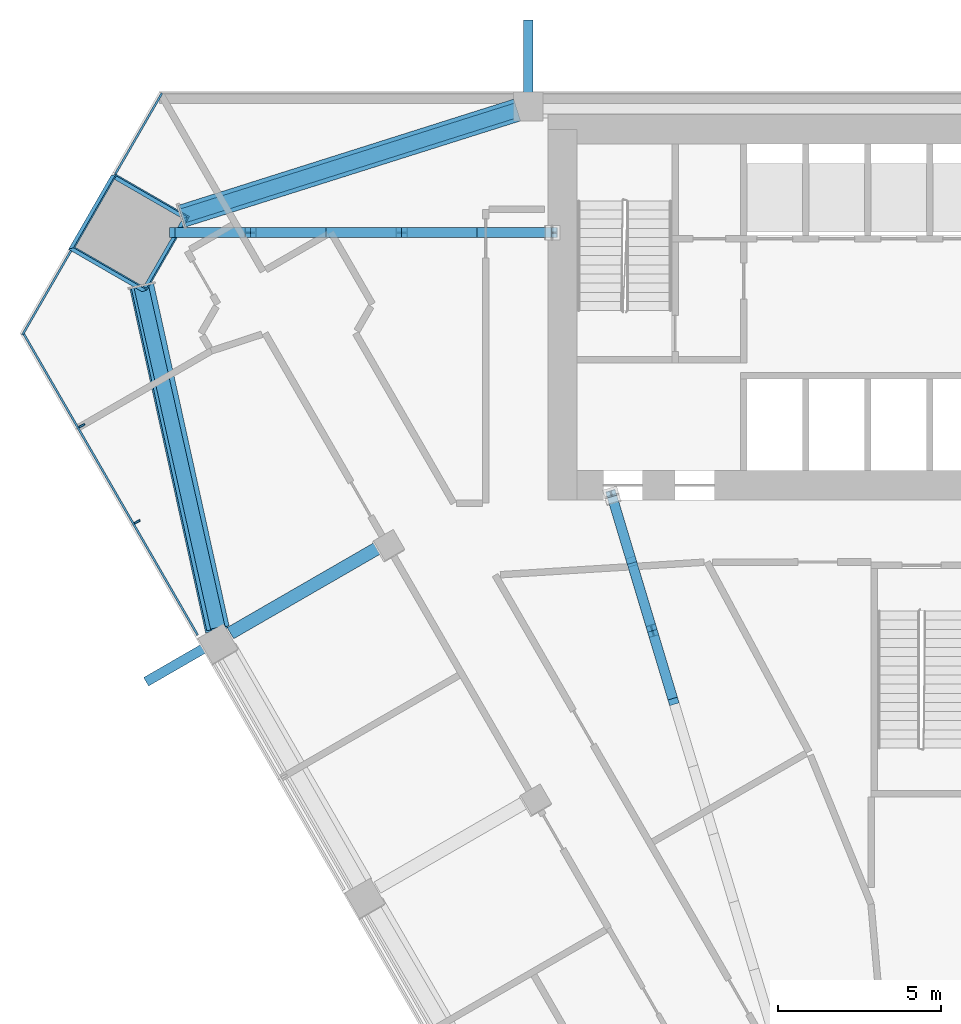
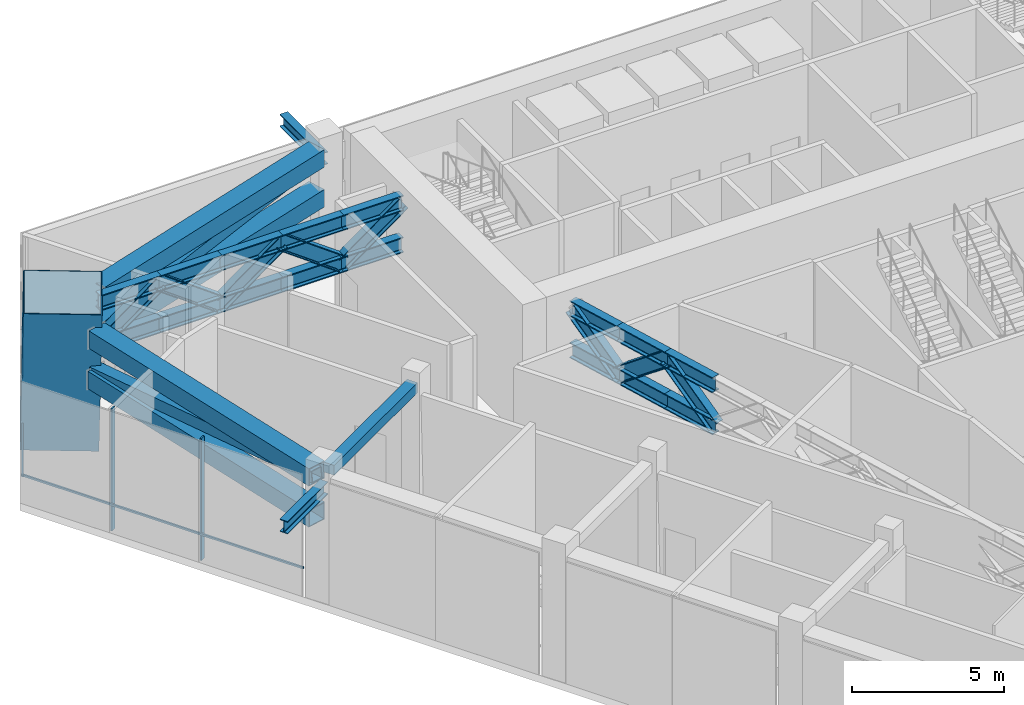
# One storey, part 5 of 15: 38 members, 1 beam, 2 elements without a shape of their own.
"""IFC4 building model written with IfcOpenShell, lengths in metres."""

from ifc_helpers import new_model, si_unit, direction, frame, origin, origin_2d, place, context, subcontext, project, spatial, rectangle, hollow_rectangle, i_section, extrude, material, layer, layer_set, material_profile, profile_set, type_object, element, aggregate, save


model = new_model("IFC4")

# Units and contexts
model_context = context("Model", 3, precision=1e-05, world=origin(), true_north=direction((0.0, 1.0)))
body_context = subcontext(model_context, "Body", "Model", "MODEL_VIEW")
ifc_project = project(units=[si_unit("LENGTHUNIT", "METRE"), si_unit("AREAUNIT", "SQUARE_METRE"), si_unit("VOLUMEUNIT", "CUBIC_METRE"), si_unit("PLANEANGLEUNIT", "RADIAN"), si_unit("MASSUNIT", "GRAM", prefix="KILO")], contexts=[model_context])

# Site, building, storey
site_placement = place(None, origin())
site = spatial("IfcSite", under=ifc_project, at=site_placement, CompositionType="ELEMENT")
building_placement = place(site_placement, origin())
building = spatial("IfcBuilding", under=site, at=building_placement, Name="Altiplano Prism Tower", CompositionType="ELEMENT")
storey_placement = place(building_placement, frame((0.0, 0.0, 95.39990234375)))
storey = spatial("IfcBuildingStorey", under=building, at=storey_placement, Name="L24", CompositionType="ELEMENT", Elevation=95.39990234375)

# Members
ifc_material_1 = material(Name="Steel S355", Category="steel")
ifc_material_profile_1 = material_profile(ifc_material_1, hollow_rectangle(XDim=0.699951171875, YDim=0.699951171875, WallThickness=0.034912109375, at=origin_2d()), Name="Belt chord Box 700x700x35")
ifc_profile_set_1 = profile_set([ifc_material_profile_1], Name="Steel S355")
member_type_1 = type_object("IfcMemberType", Name="Belt chord Box 700x700x35", PredefinedType="CHORD", material=ifc_profile_set_1)
member_1_placement = place(storey_placement, frame((71.164306640625, 104.44384765625, 2.9501953125), z_axis=(-0.953347002782, -0.301876617654, 0.0), x_axis=(0.301876617654, -0.953347002782, 0.0)))
element("IfcMember", 1, at=member_1_placement, inside=storey, type_object=member_type_1, Name="Belt truss R1 chord b4", PredefinedType="CHORD", context=body_context, shape_type="SweptSolid", body=[
    extrude(hollow_rectangle(XDim=0.699951171875, YDim=0.699951171875, WallThickness=0.034912109375, at=origin_2d()), origin(), (0.0, 0.0, 1.0), 10.785400390625),
])
member_2_placement = place(storey_placement, frame((71.164306640625, 104.44384765625, 4.550048828125), z_axis=(-0.953352149801, -0.301860362536, 0.0), x_axis=(0.301860362536, -0.953352149801, 0.0)))
element("IfcMember", 2, at=member_2_placement, inside=storey, type_object=member_type_1, Name="Belt truss R1 chord t4", PredefinedType="CHORD", context=body_context, shape_type="SweptSolid", body=[
    extrude(hollow_rectangle(XDim=0.699951171875, YDim=0.699951171875, WallThickness=0.034912109375, at=origin_2d()), origin(), (0.0, 0.0, 1.0), 10.737548828125),
])
member_3_placement = place(storey_placement, frame((59.64111328125, 99.03857421875, 2.9501953125), z_axis=(0.21524997948, -0.976558982517, 0.0), x_axis=(0.976558982517, 0.21524997948, 0.0)))
element("IfcMember", 3, at=member_3_placement, inside=storey, type_object=member_type_1, Name="Belt truss R1 chord b5", PredefinedType="CHORD", context=body_context, shape_type="SweptSolid", body=[
    extrude(hollow_rectangle(XDim=0.699951171875, YDim=0.699951171875, WallThickness=0.034912109375, at=origin_2d()), origin(), (0.0, 0.0, 1.0), 10.785400390625),
])
member_4_placement = place(storey_placement, frame((59.686767578125, 99.053466796875, 4.550048828125), z_axis=(0.215273822701, -0.976553726766, 0.0), x_axis=(0.976553726766, 0.215273822701, 0.0)))
element("IfcMember", 4, at=member_4_placement, inside=storey, type_object=member_type_1, Name="Belt truss R1 chord t5", PredefinedType="CHORD", context=body_context, shape_type="SweptSolid", body=[
    extrude(hollow_rectangle(XDim=0.699951171875, YDim=0.699951171875, WallThickness=0.034912109375, at=origin_2d()), origin(), (0.0, 0.0, 1.0), 10.737548828125),
])
ifc_material_profile_2 = material_profile(ifc_material_1, hollow_rectangle(XDim=0.449951171875, YDim=0.449951171875, WallThickness=0.02490234375, at=origin_2d()), Name="Belt diagonal Box 450x450x25")
ifc_profile_set_2 = profile_set([ifc_material_profile_2], Name="Steel S355")
member_type_2 = type_object("IfcMemberType", Name="Belt diagonal Box 450x450x25", PredefinedType="BRACE", material=ifc_profile_set_2)
member_5_placement = place(storey_placement, frame((71.164306640625, 104.44384765625, 4.506103515625), z_axis=(-0.946003824365, -0.299564893853, -0.123845220572), x_axis=(0.301888971736, -0.953343090783, 0.0)))
element("IfcMember", 5, at=member_5_placement, inside=storey, type_object=member_type_2, Name="Belt truss R1 diagonal 4", PredefinedType="BRACE", context=body_context, shape_type="SweptSolid", body=[
    extrude(hollow_rectangle(XDim=0.449951171875, YDim=0.449951171875, WallThickness=0.02490234375, at=origin_2d()), origin(), (0.0, 0.0, 1.0), 10.909423828125),
])
member_6_placement = place(storey_placement, frame((59.638671875, 99.078857421875, 3.15576171875), z_axis=(0.217222425041, -0.968168893388, 0.124351967958), x_axis=(0.975742439313, 0.218921657502, 0.0)))
element("IfcMember", 6, at=member_6_placement, inside=storey, type_object=member_type_2, Name="Belt truss R1 diagonal 5", PredefinedType="BRACE", context=body_context, shape_type="SweptSolid", body=[
    extrude(hollow_rectangle(XDim=0.449951171875, YDim=0.449951171875, WallThickness=0.02490234375, at=origin_2d()), origin(), (0.0, 0.0, 1.0), 10.857177734375),
])
ifc_material_profile_3 = material_profile(ifc_material_1, i_section(OverallWidth=0.300048828125, OverallDepth=0.5, WebThickness=0.014404296875, FlangeThickness=0.028076171875, FilletRadius=0.027099609375, at=origin_2d()), Name="Brace bracket HEB 500")
ifc_profile_set_3 = profile_set([ifc_material_profile_3], Name="Steel S355")
member_type_3 = type_object("IfcMemberType", Name="Brace bracket HEB 500", PredefinedType="STRUT", material=ifc_profile_set_3)
for number, where, z_axis, x_axis, name in (
    (7, (71.5, 104.550048828125, 4.172607421875), (0.0, 1.0, 0.0), (-1.0, 0.0, 0.0), "Brace bracket 0.100.8"),
    (8, (62.093017578125, 88.256591796875, 4.178955078125), (-0.866029095148, -0.499993606316, 0.0), (0.499993606316, -0.866029095148, 0.0), "Brace bracket 1.100.8"),
):
    element("IfcMember", number, at=place(storey_placement, frame(where, z_axis=z_axis, x_axis=x_axis)), inside=storey, type_object=member_type_3, Name=name, PredefinedType="STRUT", context=body_context, shape_type="SweptSolid", body=[
        extrude(i_section(OverallWidth=0.300048828125, OverallDepth=0.5, WebThickness=0.014404296875, FlangeThickness=0.028076171875, FilletRadius=0.027099609375, at=origin_2d()), origin(), (0.0, 0.0, 1.0), 2.64990234375),
    ])

# Curtain wall, members
ifc_material_2 = material(Name="Aluminium and glass", Category="aluminium")
ifc_layer = layer(ifc_material_2, 0.320068359375)
ifc_layer_set = layer_set([ifc_layer], Name="Aluminium and glass")
curtain_wall_type = type_object("IfcCurtainWallType", Name="CW6 louvred plant-floor curtain wall", PredefinedType="NOTDEFINED", material=ifc_layer_set)
curtain_wall_1_placement = place(storey_placement, origin())
curtain_wall_1 = element("IfcCurtainWall", 9, at=curtain_wall_1_placement, inside=storey, type_object=curtain_wall_type, Name="CW6 curtain wall south-west face L24", PredefinedType="NOTDEFINED")
ifc_material_3 = material(Name="Aluminium", Category="aluminium")
ifc_material_profile_4 = material_profile(ifc_material_3, rectangle(XDim=0.199951171875, YDim=0.06005859375, at=origin_2d()), Name="CW6 mullion 60 x 200")
ifc_profile_set_4 = profile_set([ifc_material_profile_4], Name="Aluminium")
member_type_4 = type_object("IfcMemberType", Name="CW6 mullion 60 x 200", PredefinedType="MULLION", material=ifc_profile_set_4)
member_7_placement = place(storey_placement, frame((57.82470703125, 94.7734375, 0.0), z_axis=(0.0, 0.0, 1.0), x_axis=(0.86602540498, 0.499999997929, 0.0)))
member_7 = element("IfcMember", 10, at=member_7_placement, type_object=member_type_4, Name="CW6 mullion", PredefinedType="MULLION", context=body_context, shape_type="SweptSolid", body=[
    extrude(rectangle(XDim=0.199951171875, YDim=0.06005859375, at=origin_2d()), origin(), (0.0, 0.0, 1.0), 4.900146484375),
])
member_8_placement = place(storey_placement, frame((59.523681640625, 91.830810546875, 0.0), z_axis=(0.0, 0.0, 1.0), x_axis=(0.86602540498, 0.499999997929, 0.0)))
member_8 = element("IfcMember", 11, at=member_8_placement, type_object=member_type_4, Name="CW6 mullion", PredefinedType="MULLION", context=body_context, shape_type="SweptSolid", body=[
    extrude(rectangle(XDim=0.199951171875, YDim=0.06005859375, at=origin_2d()), origin(), (0.0, 0.0, 1.0), 4.900146484375),
])

curtain_wall_2_placement = place(storey_placement, origin())
curtain_wall_2 = element("IfcCurtainWall", 12, at=curtain_wall_2_placement, inside=storey, type_object=curtain_wall_type, Name="CW6 curtain wall north-west chamfer L24", PredefinedType="NOTDEFINED")
ifc_material_profile_5 = material_profile(ifc_material_3, rectangle(XDim=0.06005859375, YDim=0.080078125, at=origin_2d()), Name="CW6 transom 80 x 60")
ifc_profile_set_5 = profile_set([ifc_material_profile_5], Name="Aluminium")
member_type_5 = type_object("IfcMemberType", Name="CW6 transom 80 x 60", PredefinedType="USERDEFINED", material=ifc_profile_set_5)
member_9_placement = place(storey_placement, frame((60.281982421875, 104.955078125, 1.10009765625), z_axis=(-0.49995489152, -0.866051445611, 0.0), x_axis=(0.866051445611, -0.49995489152, 0.0)))
member_9 = element("IfcMember", 13, at=member_9_placement, type_object=member_type_5, Name="CW6 transom", ObjectType="TRANSOM", PredefinedType="USERDEFINED", context=body_context, shape_type="SweptSolid", body=[
    extrude(rectangle(XDim=0.06005859375, YDim=0.080078125, at=origin_2d()), origin(), (0.0, 0.0, 1.0), 2.848876953125),
])
member_10_placement = place(storey_placement, frame((57.49755859375, 100.13232421875, 1.10009765625), z_axis=(-0.499995331975, -0.866028098853, 0.0), x_axis=(0.866028098853, -0.499995331975, 0.0)))
member_10 = element("IfcMember", 14, at=member_10_placement, type_object=member_type_5, Name="CW6 transom", ObjectType="TRANSOM", PredefinedType="USERDEFINED", context=body_context, shape_type="SweptSolid", body=[
    extrude(rectangle(XDim=0.06005859375, YDim=0.080078125, at=origin_2d()), origin(), (0.0, 0.0, 1.0), 2.96875),
])
aggregate(curtain_wall_2, [member_9, member_10])

# Member
member_11_placement = place(storey_placement, frame((56.01318359375, 97.6513671875, 1.10009765625), z_axis=(0.499999606647, -0.866025630887, 0.0), x_axis=(0.866025630887, 0.499999606647, 0.0)))
member_11 = element("IfcMember", 15, at=member_11_placement, type_object=member_type_5, Name="CW6 transom", ObjectType="TRANSOM", PredefinedType="USERDEFINED", context=body_context, shape_type="SweptSolid", body=[
    extrude(rectangle(XDim=0.06005859375, YDim=0.080078125, at=origin_2d()), origin(), (0.0, 0.0, 1.0), 10.72607421875),
])

aggregate(curtain_wall_1, [member_7, member_8, member_11])

# Members
ifc_material_4 = material(Name="Steel S460", Category="steel")
ifc_material_profile_6 = material_profile(ifc_material_4, hollow_rectangle(XDim=2.60009765625, YDim=2.60009765625, WallThickness=0.0400390625, at=origin_2d()), Name="Mega column tube 2600")
ifc_profile_set_6 = profile_set([ifc_material_profile_6], Name="Steel S460")
member_type_6 = type_object("IfcMemberType", Name="Mega column tube 2600", PredefinedType="POST", material=ifc_profile_set_6)
member_12_placement = place(storey_placement, frame((59.195556640625, 100.653076171875, 0.0), z_axis=(0.028379226033, 0.009263919326, 0.99955430034), x_axis=(-0.865959144899, 0.499716484504, 0.019954810962)))
element("IfcMember", 16, at=member_12_placement, inside=storey, type_object=member_type_6, Name="Mega column tube M0 L24", PredefinedType="POST", context=body_context, shape_type="SweptSolid", body=[
    extrude(hollow_rectangle(XDim=2.60009765625, YDim=2.60009765625, WallThickness=0.0400390625, at=origin_2d()), origin(), (0.0, 0.0, 1.0), 5.402587890625),
])
ifc_material_profile_7 = material_profile(ifc_material_1, i_section(OverallWidth=0.304931640625, OverallDepth=0.6201171875, WebThickness=0.02099609375, FlangeThickness=0.0400390625, FilletRadius=0.027099609375, at=origin_2d()), Name="Outrigger chord HEM 600")
ifc_profile_set_7 = profile_set([ifc_material_profile_7], Name="Steel S355")
member_type_7 = type_object("IfcMemberType", Name="Outrigger chord HEM 600", PredefinedType="CHORD", material=ifc_profile_set_7)
for number, where, z_axis, x_axis, name in (
    (17, (60.68310546875, 100.687744140625, 2.91015625), (1.0, 0.0, 0.0), (0.0, 1.0, 0.0), "Outrigger truss R1 1 chord b1"),
    (18, (60.68310546875, 100.687744140625, 4.590087890625), (1.0, 0.0, 0.0), (0.0, 1.0, 0.0), "Outrigger truss R1 1 chord t1"),
):
    element("IfcMember", number, at=place(storey_placement, frame(where, z_axis=z_axis, x_axis=x_axis)), inside=storey, type_object=member_type_7, Name=name, PredefinedType="CHORD", context=body_context, shape_type="SweptSolid", body=[
        extrude(i_section(OverallWidth=0.304931640625, OverallDepth=0.6201171875, WebThickness=0.02099609375, FlangeThickness=0.0400390625, FilletRadius=0.027099609375, at=origin_2d()), origin(), (0.0, 0.0, 1.0), 2.3134765625),
    ])
for number, where, z_axis, x_axis, name in (
    (19, (62.99658203125, 100.687744140625, 2.91015625), (1.0, 0.0, 0.0), (0.0, 1.0, 0.0), "Outrigger truss R1 1 chord b2"),
    (20, (62.99658203125, 100.687744140625, 4.590087890625), (1.0, 0.0, 0.0), (0.0, 1.0, 0.0), "Outrigger truss R1 1 chord t2"),
):
    element("IfcMember", number, at=place(storey_placement, frame(where, z_axis=z_axis, x_axis=x_axis)), inside=storey, type_object=member_type_7, Name=name, PredefinedType="CHORD", context=body_context, shape_type="SweptSolid", body=[
        extrude(i_section(OverallWidth=0.304931640625, OverallDepth=0.6201171875, WebThickness=0.02099609375, FlangeThickness=0.0400390625, FilletRadius=0.027099609375, at=origin_2d()), origin(), (0.0, 0.0, 1.0), 2.313232421875),
    ])
for number, where, z_axis, x_axis, name in (
    (21, (65.309814453125, 100.687744140625, 2.91015625), (1.0, 0.0, 0.0), (0.0, 1.0, 0.0), "Outrigger truss R1 1 chord b3"),
    (22, (65.309814453125, 100.687744140625, 4.590087890625), (1.0, 0.0, 0.0), (0.0, 1.0, 0.0), "Outrigger truss R1 1 chord t3"),
):
    element("IfcMember", number, at=place(storey_placement, frame(where, z_axis=z_axis, x_axis=x_axis)), inside=storey, type_object=member_type_7, Name=name, PredefinedType="CHORD", context=body_context, shape_type="SweptSolid", body=[
        extrude(i_section(OverallWidth=0.304931640625, OverallDepth=0.6201171875, WebThickness=0.02099609375, FlangeThickness=0.0400390625, FilletRadius=0.027099609375, at=origin_2d()), origin(), (0.0, 0.0, 1.0), 2.3134765625),
    ])
for number, where, z_axis, x_axis, name in (
    (23, (67.623291015625, 100.687744140625, 2.91015625), (1.0, 0.0, 0.0), (0.0, 1.0, 0.0), "Outrigger truss R1 1 chord b4"),
    (24, (67.623291015625, 100.687744140625, 4.590087890625), (1.0, 0.0, 0.0), (0.0, 1.0, 0.0), "Outrigger truss R1 1 chord t4"),
):
    element("IfcMember", number, at=place(storey_placement, frame(where, z_axis=z_axis, x_axis=x_axis)), inside=storey, type_object=member_type_7, Name=name, PredefinedType="CHORD", context=body_context, shape_type="SweptSolid", body=[
        extrude(i_section(OverallWidth=0.304931640625, OverallDepth=0.6201171875, WebThickness=0.02099609375, FlangeThickness=0.0400390625, FilletRadius=0.027099609375, at=origin_2d()), origin(), (0.0, 0.0, 1.0), 2.313232421875),
    ])
for number, where, z_axis, x_axis, name in (
    (25, (69.9365234375, 100.687744140625, 2.91015625), (1.0, 0.0, 0.0), (0.0, 1.0, 0.0), "Outrigger truss R1 1 chord b5"),
    (26, (69.9365234375, 100.687744140625, 4.590087890625), (1.0, 0.0, 0.0), (0.0, 1.0, 0.0), "Outrigger truss R1 1 chord t5"),
):
    element("IfcMember", number, at=place(storey_placement, frame(where, z_axis=z_axis, x_axis=x_axis)), inside=storey, type_object=member_type_7, Name=name, PredefinedType="CHORD", context=body_context, shape_type="SweptSolid", body=[
        extrude(i_section(OverallWidth=0.304931640625, OverallDepth=0.6201171875, WebThickness=0.02099609375, FlangeThickness=0.0400390625, FilletRadius=0.027099609375, at=origin_2d()), origin(), (0.0, 0.0, 1.0), 2.2734375),
    ])
for number, where, z_axis, x_axis, name in (
    (27, (75.92529296875, 86.417724609375, 2.91015625), (-0.287451261687, 0.957795266304, 0.0), (-0.957795266304, -0.287451261687, 0.0), "Outrigger truss R1 3 chord b15"),
    (28, (75.92529296875, 86.417724609375, 4.590087890625), (-0.287451261687, 0.957795266304, 0.0), (-0.957795266304, -0.287451261687, 0.0), "Outrigger truss R1 3 chord t15"),
):
    element("IfcMember", number, at=place(storey_placement, frame(where, z_axis=z_axis, x_axis=x_axis)), inside=storey, type_object=member_type_7, Name=name, PredefinedType="CHORD", context=body_context, shape_type="SweptSolid", body=[
        extrude(i_section(OverallWidth=0.304931640625, OverallDepth=0.6201171875, WebThickness=0.02099609375, FlangeThickness=0.0400390625, FilletRadius=0.027099609375, at=origin_2d()), origin(), (0.0, 0.0, 1.0), 2.166748046875),
    ])
for number, where, z_axis, x_axis, name in (
    (29, (75.302490234375, 88.492919921875, 2.91015625), (-0.287420241393, 0.957804575494, 0.0), (-0.957804575494, -0.287420241393, 0.0), "Outrigger truss R1 3 chord b16"),
    (30, (75.302490234375, 88.492919921875, 4.590087890625), (-0.287420241393, 0.957804575494, 0.0), (-0.957804575494, -0.287420241393, 0.0), "Outrigger truss R1 3 chord t16"),
):
    element("IfcMember", number, at=place(storey_placement, frame(where, z_axis=z_axis, x_axis=x_axis)), inside=storey, type_object=member_type_7, Name=name, PredefinedType="CHORD", context=body_context, shape_type="SweptSolid", body=[
        extrude(i_section(OverallWidth=0.304931640625, OverallDepth=0.6201171875, WebThickness=0.02099609375, FlangeThickness=0.0400390625, FilletRadius=0.027099609375, at=origin_2d()), origin(), (0.0, 0.0, 1.0), 2.1669921875),
    ])
for number, where, z_axis, x_axis, name in (
    (31, (74.6796875, 90.568359375, 2.91015625), (-0.287432133402, 0.957801006832, 0.0), (-0.957801006832, -0.287432133402, 0.0), "Outrigger truss R1 3 chord b17"),
    (32, (74.6796875, 90.568359375, 4.590087890625), (-0.287432133402, 0.957801006832, 0.0), (-0.957801006832, -0.287432133402, 0.0), "Outrigger truss R1 3 chord t17"),
):
    element("IfcMember", number, at=place(storey_placement, frame(where, z_axis=z_axis, x_axis=x_axis)), inside=storey, type_object=member_type_7, Name=name, PredefinedType="CHORD", context=body_context, shape_type="SweptSolid", body=[
        extrude(i_section(OverallWidth=0.304931640625, OverallDepth=0.6201171875, WebThickness=0.02099609375, FlangeThickness=0.0400390625, FilletRadius=0.027099609375, at=origin_2d()), origin(), (0.0, 0.0, 1.0), 2.126953125),
    ])
ifc_material_profile_8 = material_profile(ifc_material_1, i_section(OverallWidth=0.300048828125, OverallDepth=0.60009765625, WebThickness=0.015380859375, FlangeThickness=0.030029296875, FilletRadius=0.027099609375, at=origin_2d()), Name="Outrigger diagonal HEB 600")
ifc_profile_set_8 = profile_set([ifc_material_profile_8], Name="Steel S355")
member_type_8 = type_object("IfcMemberType", Name="Outrigger diagonal HEB 600", PredefinedType="BRACE", material=ifc_profile_set_8)
member_13_placement = place(storey_placement, frame((60.68310546875, 100.687744140625, 2.91015625), z_axis=(0.809167899918, 0.0, 0.587577492543), x_axis=(0.0, 1.0, 0.0)))
element("IfcMember", 33, at=member_13_placement, inside=storey, type_object=member_type_8, Name="Outrigger truss R1 1 diagonal 1", PredefinedType="BRACE", context=body_context, shape_type="SweptSolid", body=[
    extrude(i_section(OverallWidth=0.300048828125, OverallDepth=0.60009765625, WebThickness=0.015380859375, FlangeThickness=0.030029296875, FilletRadius=0.027099609375, at=origin_2d()), origin(), (0.0, 0.0, 1.0), 2.859130859375),
])
member_14_placement = place(storey_placement, frame((62.99658203125, 100.687744140625, 4.590087890625), z_axis=(0.809138415748, 0.0, -0.5876180938), x_axis=(0.0, 1.0, 0.0)))
element("IfcMember", 34, at=member_14_placement, inside=storey, type_object=member_type_8, Name="Outrigger truss R1 1 diagonal 2", PredefinedType="BRACE", context=body_context, shape_type="SweptSolid", body=[
    extrude(i_section(OverallWidth=0.300048828125, OverallDepth=0.60009765625, WebThickness=0.015380859375, FlangeThickness=0.030029296875, FilletRadius=0.027099609375, at=origin_2d()), origin(), (0.0, 0.0, 1.0), 2.85888671875),
])
member_15_placement = place(storey_placement, frame((65.309814453125, 100.687744140625, 2.91015625), z_axis=(0.809167899918, 0.0, 0.587577492543), x_axis=(0.0, 1.0, 0.0)))
element("IfcMember", 35, at=member_15_placement, inside=storey, type_object=member_type_8, Name="Outrigger truss R1 1 diagonal 3", PredefinedType="BRACE", context=body_context, shape_type="SweptSolid", body=[
    extrude(i_section(OverallWidth=0.300048828125, OverallDepth=0.60009765625, WebThickness=0.015380859375, FlangeThickness=0.030029296875, FilletRadius=0.027099609375, at=origin_2d()), origin(), (0.0, 0.0, 1.0), 2.859130859375),
])
member_16_placement = place(storey_placement, frame((67.623291015625, 100.687744140625, 4.590087890625), z_axis=(0.809138415748, 0.0, -0.5876180938), x_axis=(0.0, 1.0, 0.0)))
element("IfcMember", 36, at=member_16_placement, inside=storey, type_object=member_type_8, Name="Outrigger truss R1 1 diagonal 4", PredefinedType="BRACE", context=body_context, shape_type="SweptSolid", body=[
    extrude(i_section(OverallWidth=0.300048828125, OverallDepth=0.60009765625, WebThickness=0.015380859375, FlangeThickness=0.030029296875, FilletRadius=0.027099609375, at=origin_2d()), origin(), (0.0, 0.0, 1.0), 2.85888671875),
])
member_17_placement = place(storey_placement, frame((69.9365234375, 100.687744140625, 2.91015625), z_axis=(0.809144100128, 0.0, 0.587610266442), x_axis=(0.0, 1.0, 0.0)))
element("IfcMember", 37, at=member_17_placement, inside=storey, type_object=member_type_8, Name="Outrigger truss R1 1 diagonal 5", PredefinedType="BRACE", context=body_context, shape_type="SweptSolid", body=[
    extrude(i_section(OverallWidth=0.300048828125, OverallDepth=0.60009765625, WebThickness=0.015380859375, FlangeThickness=0.030029296875, FilletRadius=0.027099609375, at=origin_2d()), origin(), (0.0, 0.0, 1.0), 2.819091796875),
])
for number, where, z_axis, x_axis, name in (
    (38, (75.92529296875, 86.417724609375, 2.91015625), (-0.227165823372, 0.756922578855, 0.612751090012), (-0.957795266304, -0.287451261687, 0.0), "Outrigger truss R1 3 diagonal 15"),
    (39, (75.302490234375, 88.492919921875, 4.590087890625), (-0.227150512193, 0.756960605313, -0.612709790043), (-0.957804575494, -0.287420241393, 0.0), "Outrigger truss R1 3 diagonal 16"),
):
    element("IfcMember", number, at=place(storey_placement, frame(where, z_axis=z_axis, x_axis=x_axis)), inside=storey, type_object=member_type_8, Name=name, PredefinedType="BRACE", context=body_context, shape_type="SweptSolid", body=[
        extrude(i_section(OverallWidth=0.300048828125, OverallDepth=0.60009765625, WebThickness=0.015380859375, FlangeThickness=0.030029296875, FilletRadius=0.027099609375, at=origin_2d()), origin(), (0.0, 0.0, 1.0), 2.74169921875),
    ])
member_18_placement = place(storey_placement, frame((74.6796875, 90.568359375, 2.91015625), z_axis=(-0.227179413438, 0.756903248591, 0.612769929405), x_axis=(-0.957788510255, -0.287473772061, 0.0)))
element("IfcMember", 40, at=member_18_placement, inside=storey, type_object=member_type_8, Name="Outrigger truss R1 3 diagonal 17", PredefinedType="BRACE", context=body_context, shape_type="SweptSolid", body=[
    extrude(i_section(OverallWidth=0.300048828125, OverallDepth=0.60009765625, WebThickness=0.015380859375, FlangeThickness=0.030029296875, FilletRadius=0.027099609375, at=origin_2d()), origin(), (0.0, 0.0, 1.0), 2.70166015625),
])

# Beam
ifc_material_5 = material(Name="Concrete C60/75", Category="concrete")
ifc_material_profile_9 = material_profile(ifc_material_5, rectangle(XDim=0.39990234375, YDim=0.39990234375, at=origin_2d()), Name="Tie beam 400x400")
ifc_profile_set_9 = profile_set([ifc_material_profile_9], Name="Concrete C60/75")
beam_type = type_object("IfcBeamType", Name="Tie beam 400x400", PredefinedType="BEAM", material=ifc_profile_set_9)
beam_placement = place(storey_placement, frame((67.13330078125, 91.16650390625, 4.7001953125), z_axis=(-0.866042665983, -0.499970099802, 0.0), x_axis=(0.499970099802, -0.866042665983, 0.0)))
element("IfcBeam", 41, at=beam_placement, inside=storey, type_object=beam_type, Name="Tie beam I11 L25", PredefinedType="BEAM", context=body_context, shape_type="SweptSolid", body=[
    extrude(rectangle(XDim=0.39990234375, YDim=0.39990234375, at=origin_2d()), origin(), (0.0, 0.0, 1.0), 5.489990234375),
])

save(model, "model.ifc")
